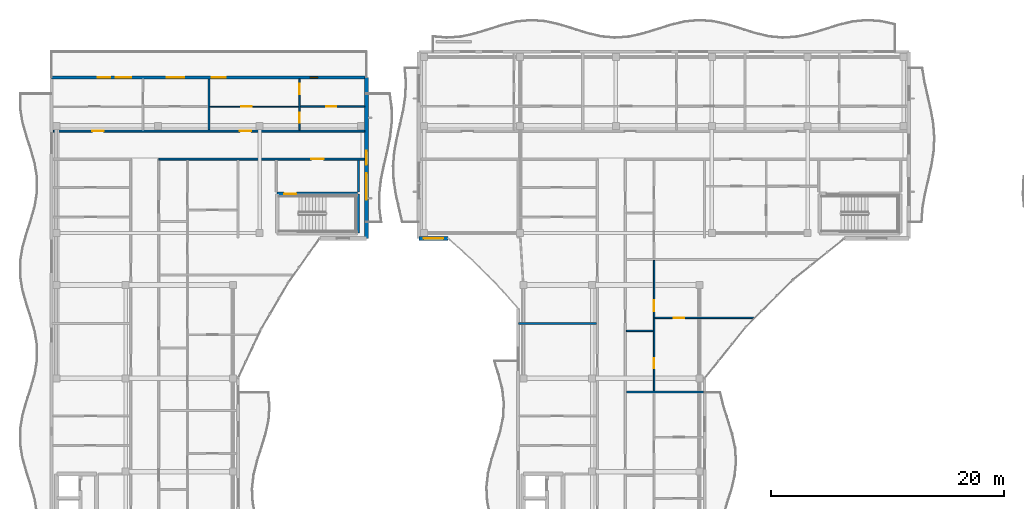
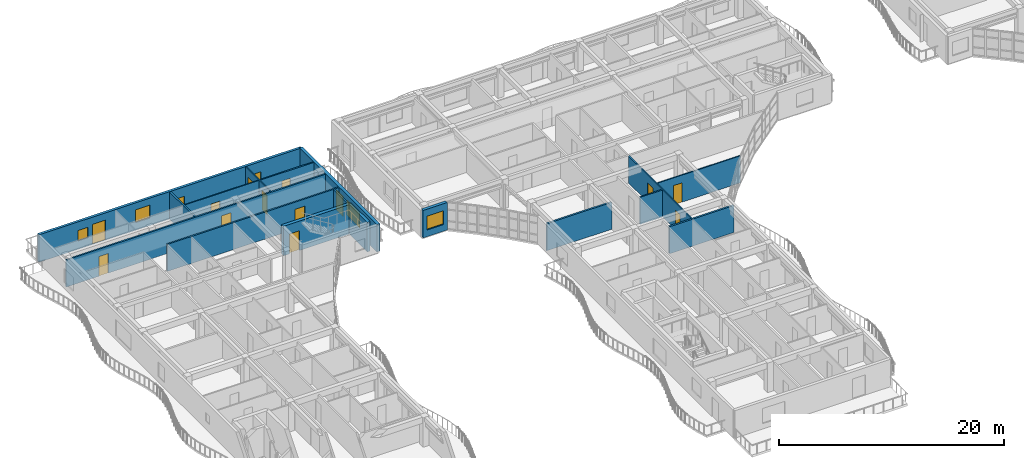
# One storey, part 34 of 71: 17 walls, 13 doors, 6 windows, 19 openings.
"""IFC4 building model written with IfcOpenShell, lengths in metres."""

from ifc_helpers import new_model, si_unit, direction, frame, frame_2d, origin, place, context, subcontext, project, spatial, rectangle, extrude, material, layer, layer_set, type_object, element, fill, save


model = new_model("IFC4")

# Units and contexts
model_context = context("Model", 3, precision=1e-05, world=origin(), true_north=direction((0.0, 1.0)))
body_context = subcontext(model_context, "Body", "Model", "MODEL_VIEW")
ifc_project = project(units=[si_unit("LENGTHUNIT", "METRE"), si_unit("AREAUNIT", "SQUARE_METRE"), si_unit("VOLUMEUNIT", "CUBIC_METRE"), si_unit("PLANEANGLEUNIT", "RADIAN"), si_unit("MASSUNIT", "GRAM", prefix="KILO")], contexts=[model_context])

# Site, building, storey
site_placement = place(None, origin())
site = spatial("IfcSite", under=ifc_project, at=site_placement, CompositionType="ELEMENT")
building_placement = place(site_placement, origin())
building = spatial("IfcBuilding", under=site, at=building_placement, Name="Keldmere Railside Commons", CompositionType="ELEMENT")
storey_placement = place(building_placement, frame((0.0, 0.0, 20.159912109375)))
storey = spatial("IfcBuildingStorey", under=building, at=storey_placement, Name="L06", CompositionType="ELEMENT", Elevation=20.159912109375)

# Walls
ifc_material_1 = material(Name="Acoustic Gypsum Board Partition", Category="gypsum")
ifc_layer_1 = layer(ifc_material_1, 0.179931640625, Name="Acoustic Demising Partition 180")
ifc_layer_set_1 = layer_set([ifc_layer_1], Name="Acoustic Gypsum Board Partition")
wall_type_1 = type_object("IfcWallType", Name="Acoustic Demising Partition 180", PredefinedType="PARTITIONING", material=ifc_layer_set_1)
wall_1_placement = place(storey_placement, frame((21.5, 109.280029296875, 0.0), z_axis=(0.0, 0.0, 1.0), x_axis=(0.0, 1.0, 0.0)))
element("IfcWall", 1, at=wall_1_placement, inside=storey, type_object=wall_type_1, Name="IW-1 IW-L06-0429", PredefinedType="PARTITIONING", context=body_context, shape_type="SweptSolid", body=[
    extrude(rectangle(XDim=4.389892578125, YDim=0.179931640625, at=frame_2d((2.19482421875, 0.0))), origin(), (0.0, 0.0, 1.0), 2.93505859375),
])
wall_2_placement = place(storey_placement, frame((57.280029296875, 86.830078125, 0.0), z_axis=(0.0, 0.0, 1.0), x_axis=(1.0, 0.0, 0.0)))
element("IfcWall", 2, at=wall_2_placement, inside=storey, type_object=wall_type_1, Name="IW-1 IW-L06-0735", PredefinedType="PARTITIONING", context=body_context, shape_type="SweptSolid", body=[
    extrude(rectangle(XDim=6.599853515625, YDim=0.179931640625, at=frame_2d((3.2998046875, 0.0))), origin(), (0.0, 0.0, 1.0), 2.93505859375),
])
wall_3_placement = place(storey_placement, frame((48.0400390625, 92.699951171875, 0.0), z_axis=(0.0, 0.0, 1.0), x_axis=(1.0, 0.0, 0.0)))
element("IfcWall", 3, at=wall_3_placement, inside=storey, type_object=wall_type_1, Name="IW-1 IW-L06-0764", PredefinedType="PARTITIONING", context=body_context, shape_type="SweptSolid", body=[
    extrude(rectangle(XDim=6.679931640625, YDim=0.179931640625, at=frame_2d((3.33984375, 0.0))), origin(), (0.0, 0.0, 1.0), 2.93505859375),
])

# Wall, openings, doors
ifc_layer_2 = layer(ifc_material_1, 0.1201171875, Name="Apartment Interior Partition 120")
ifc_layer_set_2 = layer_set([ifc_layer_2], Name="Acoustic Gypsum Board Partition")
wall_type_2 = type_object("IfcWallType", Name="Apartment Interior Partition 120", PredefinedType="PARTITIONING", material=ifc_layer_set_2)
wall_4_placement = place(storey_placement, frame((29.280029296875, 109.280029296875, 0.0), z_axis=(0.0, 0.0, 1.0), x_axis=(0.0, 1.0, 0.0)))
wall_4 = element("IfcWall", 4, at=wall_4_placement, inside=storey, type_object=wall_type_2, Name="IW-4 IW-L06-0433", PredefinedType="PARTITIONING", context=body_context, shape_type="SweptSolid", body=[
    extrude(rectangle(XDim=4.389892578125, YDim=0.1201171875, at=frame_2d((2.19482421875, 0.0))), origin(), (0.0, 0.0, 1.0), 2.93505859375),
])
opening_1_placement = place(wall_4_placement, frame((0.646484375, 0.0, 0.0)))
opening_1 = element("IfcOpeningElement", 5, at=opening_1_placement, cuts=wall_4, Name="Opening ID-04", PredefinedType="OPENING", context=body_context, shape_type="SweptSolid", body=[
    extrude(rectangle(XDim=0.860107421875, YDim=2.10009765625, at=frame_2d((0.43017578125, 1.050048828125))), frame((0.0, 0.070068359375, 0.0), z_axis=(0.0, -1.0, 0.0), x_axis=(1.0, 0.0, 0.0)), (0.0, 0.0, 1.0), 0.14013671875),
])
opening_2_placement = place(wall_4_placement, frame((3.08642578125, 0.0, 0.0)))
opening_2 = element("IfcOpeningElement", 6, at=opening_2_placement, cuts=wall_4, Name="Opening ID-01", PredefinedType="OPENING", context=body_context, shape_type="SweptSolid", body=[
    extrude(rectangle(XDim=0.89990234375, YDim=2.10009765625, at=frame_2d((0.449951171875, 1.050048828125))), frame((0.0, 0.070068359375, 0.0), z_axis=(0.0, -1.0, 0.0), x_axis=(1.0, 0.0, 0.0)), (0.0, 0.0, 1.0), 0.14013671875),
])
ifc_material_2 = material(Name="Engineered Oak Timber", Category="wood")
door_type_1 = type_object("IfcDoorType", Name="Apartment Bathroom Door 860x2100", OperationType="NOTDEFINED", PredefinedType="DOOR", material=ifc_material_2)
door_1_placement = place(opening_1_placement, origin())
door_1 = element("IfcDoor", 7, at=door_1_placement, inside=storey, type_object=door_type_1, Name="ID-04 IDR-L06-0336", OperationType="SINGLE_SWING_RIGHT", OverallHeight=2.10009765625, OverallWidth=0.860107421875, PredefinedType="DOOR", context=body_context, shape_type="SweptSolid", body=[
    extrude(rectangle(XDim=0.860107421875, YDim=2.10009765625, at=frame_2d((0.43017578125, 1.050048828125))), frame((0.0, 0.02490234375, 0.0), z_axis=(0.0, -1.0, 0.0), x_axis=(1.0, 0.0, 0.0)), (0.0, 0.0, 1.0), 0.050048828125),
])
fill(opening_1, door_1)
door_type_2 = type_object("IfcDoorType", Name="Primary Bedroom Door 900x2100", OperationType="NOTDEFINED", PredefinedType="DOOR", material=ifc_material_2)
door_2_placement = place(opening_2_placement, origin())
door_2 = element("IfcDoor", 8, at=door_2_placement, inside=storey, type_object=door_type_2, Name="ID-01 IDR-L06-0337", OperationType="SINGLE_SWING_LEFT", OverallHeight=2.10009765625, OverallWidth=0.89990234375, PredefinedType="DOOR", context=body_context, shape_type="SweptSolid", body=[
    extrude(rectangle(XDim=0.89990234375, YDim=2.10009765625, at=frame_2d((0.449951171875, 1.050048828125))), frame((0.0, 0.02490234375, 0.0), z_axis=(0.0, -1.0, 0.0), x_axis=(1.0, 0.0, 0.0)), (0.0, 0.0, 1.0), 0.050048828125),
])
fill(opening_2, door_2)

wall_5_placement = place(storey_placement, frame((59.659912109375, 86.919921875, 0.0), z_axis=(0.0, 0.0, 1.0), x_axis=(0.0, 1.0, 0.0)))
wall_5 = element("IfcWall", 9, at=wall_5_placement, inside=storey, type_object=wall_type_2, Name="IW-4 IW-L06-0745", PredefinedType="PARTITIONING", context=body_context, shape_type="SweptSolid", body=[
    extrude(rectangle(XDim=11.190185546875, YDim=0.1201171875, at=frame_2d((5.59521484375, 0.0))), origin(), (0.0, 0.0, 1.0), 2.93505859375),
])
opening_3_placement = place(wall_5_placement, frame((1.95703125, 0.0, 0.0)))
opening_3 = element("IfcOpeningElement", 10, at=opening_3_placement, cuts=wall_5, Name="Opening ID-04", PredefinedType="OPENING", context=body_context, shape_type="SweptSolid", body=[
    extrude(rectangle(XDim=0.860107421875, YDim=2.10009765625, at=frame_2d((0.43017578125, 1.050048828125))), frame((0.0, 0.070068359375, 0.0), z_axis=(0.0, -1.0, 0.0), x_axis=(1.0, 0.0, 0.0)), (0.0, 0.0, 1.0), 0.14013671875),
])
opening_4_placement = place(wall_5_placement, frame((6.84130859375, 0.0, 0.0)))
opening_4 = element("IfcOpeningElement", 11, at=opening_4_placement, cuts=wall_5, Name="Opening ID-03", PredefinedType="OPENING", context=body_context, shape_type="SweptSolid", body=[
    extrude(rectangle(XDim=0.919921875, YDim=2.10009765625, at=frame_2d((0.4599609375, 1.050048828125))), frame((0.0, 0.070068359375, 0.0), z_axis=(0.0, -1.0, 0.0), x_axis=(1.0, 0.0, 0.0)), (0.0, 0.0, 1.0), 0.14013671875),
])
door_3_placement = place(opening_3_placement, origin())
door_3 = element("IfcDoor", 12, at=door_3_placement, inside=storey, type_object=door_type_1, Name="ID-04 IDR-L06-0627", OperationType="SINGLE_SWING_LEFT", OverallHeight=2.10009765625, OverallWidth=0.860107421875, PredefinedType="DOOR", context=body_context, shape_type="SweptSolid", body=[
    extrude(rectangle(XDim=0.860107421875, YDim=2.10009765625, at=frame_2d((0.43017578125, 1.050048828125))), frame((0.0, 0.02490234375, 0.0), z_axis=(0.0, -1.0, 0.0), x_axis=(1.0, 0.0, 0.0)), (0.0, 0.0, 1.0), 0.050048828125),
])
fill(opening_3, door_3)
door_type_3 = type_object("IfcDoorType", Name="Kitchen Pocket-Frame Swing Door 920x2100", OperationType="NOTDEFINED", PredefinedType="DOOR", material=ifc_material_2)
door_4_placement = place(opening_4_placement, origin())
door_4 = element("IfcDoor", 13, at=door_4_placement, inside=storey, type_object=door_type_3, Name="ID-03 IDR-L06-0628", OperationType="SINGLE_SWING_RIGHT", OverallHeight=2.10009765625, OverallWidth=0.919921875, PredefinedType="DOOR", context=body_context, shape_type="SweptSolid", body=[
    extrude(rectangle(XDim=0.919921875, YDim=2.10009765625, at=frame_2d((0.4599609375, 1.050048828125))), frame((0.0, 0.02490234375, 0.0), z_axis=(0.0, -1.0, 0.0), x_axis=(1.0, 0.0, 0.0)), (0.0, 0.0, 1.0), 0.050048828125),
])
fill(opening_4, door_4)

# Wall, opening, door
wall_6_placement = place(storey_placement, frame((59.719970703125, 93.18994140625, 0.0), z_axis=(0.0, 0.0, 1.0), x_axis=(1.0, 0.0, 0.0)))
wall_6 = element("IfcWall", 14, at=wall_6_placement, inside=storey, type_object=wall_type_2, Name="IW-4 IW-L06-0747", PredefinedType="PARTITIONING", context=body_context, shape_type="SweptSolid", body=[
    extrude(rectangle(XDim=8.537353515625, YDim=0.1201171875, at=frame_2d((4.2685546875, 0.0))), origin(), (0.0, 0.0, 1.0), 2.93505859375),
])
opening_5_placement = place(wall_6_placement, frame((1.6298828125, 0.0, 0.0)))
opening_5 = element("IfcOpeningElement", 15, at=opening_5_placement, cuts=wall_6, Name="Opening ID-01", PredefinedType="OPENING", context=body_context, shape_type="SweptSolid", body=[
    extrude(rectangle(XDim=0.89990234375, YDim=2.10009765625, at=frame_2d((0.449951171875, 1.050048828125))), frame((0.0, 0.070068359375, 0.0), z_axis=(0.0, -1.0, 0.0), x_axis=(1.0, 0.0, 0.0)), (0.0, 0.0, 1.0), 0.14013671875),
])
door_5_placement = place(opening_5_placement, origin())
door_5 = element("IfcDoor", 16, at=door_5_placement, inside=storey, type_object=door_type_2, Name="ID-01 IDR-L06-0630", OperationType="SINGLE_SWING_RIGHT", OverallHeight=2.10009765625, OverallWidth=0.89990234375, PredefinedType="DOOR", context=body_context, shape_type="SweptSolid", body=[
    extrude(rectangle(XDim=0.89990234375, YDim=2.10009765625, at=frame_2d((0.449951171875, 1.050048828125))), frame((0.0, 0.02490234375, 0.0), z_axis=(0.0, -1.0, 0.0), x_axis=(1.0, 0.0, 0.0)), (0.0, 0.0, 1.0), 0.050048828125),
])
fill(opening_5, door_5)

ifc_layer_3 = layer(ifc_material_1, 0.10009765625, Name="Closet Light Partition 100")
ifc_layer_set_3 = layer_set([ifc_layer_3], Name="Acoustic Gypsum Board Partition")
wall_type_3 = type_object("IfcWallType", Name="Closet Light Partition 100", PredefinedType="PARTITIONING", material=ifc_layer_set_3)
wall_7_placement = place(storey_placement, frame((21.590087890625, 111.300048828125, 0.0), z_axis=(0.0, 0.0, 1.0), x_axis=(1.0, 0.0, 0.0)))
wall_7 = element("IfcWall", 17, at=wall_7_placement, inside=storey, type_object=wall_type_3, Name="IW-6 IW-L06-0435", PredefinedType="PARTITIONING", context=body_context, shape_type="SweptSolid", body=[
    extrude(rectangle(XDim=7.6298828125, YDim=0.10009765625, at=frame_2d((3.81494140625, 0.0))), origin(), (0.0, 0.0, 1.0), 2.93505859375),
])
opening_6_placement = place(wall_7_placement, frame((2.676025390625, 0.0, 0.0)))
opening_6 = element("IfcOpeningElement", 18, at=opening_6_placement, cuts=wall_7, Name="Opening ID-03", PredefinedType="OPENING", context=body_context, shape_type="SweptSolid", body=[
    extrude(rectangle(XDim=0.919921875, YDim=2.10009765625, at=frame_2d((0.4599609375, 1.050048828125))), frame((0.0, 0.06005859375, 0.0), z_axis=(0.0, -1.0, 0.0), x_axis=(1.0, 0.0, 0.0)), (0.0, 0.0, 1.0), 0.1201171875),
])
door_6_placement = place(opening_6_placement, origin())
door_6 = element("IfcDoor", 19, at=door_6_placement, inside=storey, type_object=door_type_3, Name="ID-03 IDR-L06-0335", OperationType="SINGLE_SWING_LEFT", OverallHeight=2.10009765625, OverallWidth=0.919921875, PredefinedType="DOOR", context=body_context, shape_type="SweptSolid", body=[
    extrude(rectangle(XDim=0.919921875, YDim=2.10009765625, at=frame_2d((0.4599609375, 1.050048828125))), frame((0.0, 0.02490234375, 0.0), z_axis=(0.0, -1.0, 0.0), x_axis=(1.0, 0.0, 0.0)), (0.0, 0.0, 1.0), 0.050048828125),
])
fill(opening_6, door_6)

ifc_layer_4 = layer(ifc_material_1, 0.159912109375, Name="Corridor Fire Partition 160")
ifc_layer_set_4 = layer_set([ifc_layer_4], Name="Acoustic Gypsum Board Partition")
wall_type_4 = type_object("IfcWallType", Name="Corridor Fire Partition 160", PredefinedType="PARTITIONING", material=ifc_layer_set_4)
wall_8_placement = place(storey_placement, frame((17.199951171875, 106.800048828125, 0.0), z_axis=(0.0, 0.0, 1.0), x_axis=(1.0, 0.0, 0.0)))
wall_8 = element("IfcWall", 20, at=wall_8_placement, inside=storey, type_object=wall_type_4, Name="IW-2 IW-L06-0411", PredefinedType="PARTITIONING", context=body_context, shape_type="SweptSolid", body=[
    extrude(rectangle(XDim=17.64013671875, YDim=0.159912109375, at=frame_2d((8.820068359375, 0.0))), origin(), (0.0, 0.0, 1.0), 2.93505859375),
])
opening_7_placement = place(wall_8_placement, frame((13.074951171875, 0.0, 0.0)))
opening_7 = element("IfcOpeningElement", 21, at=opening_7_placement, cuts=wall_8, Name="Opening FD-1", PredefinedType="OPENING", context=body_context, shape_type="SweptSolid", body=[
    extrude(rectangle(XDim=1.050048828125, YDim=2.14990234375, at=frame_2d((0.52490234375, 1.074951171875))), frame((0.0, 0.08984375, 0.0), z_axis=(0.0, -1.0, 0.0), x_axis=(1.0, 0.0, 0.0)), (0.0, 0.0, 1.0), 0.179931640625),
])
ifc_material_3 = material(Name="Steel F-24 (S235)", Category="steel")
door_type_4 = type_object("IfcDoorType", Name="Stair Core Fire Door 1050x2150", OperationType="NOTDEFINED", PredefinedType="DOOR", material=ifc_material_3)
door_7_placement = place(opening_7_placement, origin())
door_7 = element("IfcDoor", 22, at=door_7_placement, inside=storey, type_object=door_type_4, Name="FD-1 IDR-L06-0313", OperationType="SINGLE_SWING_LEFT", OverallHeight=2.14990234375, OverallWidth=1.050048828125, PredefinedType="DOOR", context=body_context, shape_type="SweptSolid", body=[
    extrude(rectangle(XDim=1.050048828125, YDim=2.14990234375, at=frame_2d((0.52490234375, 1.074951171875))), frame((0.0, 0.02490234375, 0.0), z_axis=(0.0, -1.0, 0.0), x_axis=(1.0, 0.0, 0.0)), (0.0, 0.0, 1.0), 0.050048828125),
])
fill(opening_7, door_7)

# Wall, openings, doors
wall_9_placement = place(storey_placement, frame((8.159912109375, 109.199951171875, 0.0), z_axis=(0.0, 0.0, 1.0), x_axis=(1.0, 0.0, 0.0)))
wall_9 = element("IfcWall", 23, at=wall_9_placement, inside=storey, type_object=wall_type_4, Name="IW-2 IW-L06-0412", PredefinedType="PARTITIONING", context=body_context, shape_type="SweptSolid", body=[
    extrude(rectangle(XDim=26.68017578125, YDim=0.159912109375, at=frame_2d((13.340087890625, 0.0))), origin(), (0.0, 0.0, 1.0), 2.93505859375),
])
opening_8_placement = place(wall_9_placement, frame((3.35009765625, 0.0, 0.0)))
opening_8 = element("IfcOpeningElement", 24, at=opening_8_placement, cuts=wall_9, Name="Opening FD-7", PredefinedType="OPENING", context=body_context, shape_type="SweptSolid", body=[
    extrude(rectangle(XDim=0.97998046875, YDim=2.14990234375, at=frame_2d((0.489990234375, 1.074951171875))), frame((0.0, 0.08984375, 0.0), z_axis=(0.0, -1.0, 0.0), x_axis=(1.0, 0.0, 0.0)), (0.0, 0.0, 1.0), 0.179931640625),
])
opening_9_placement = place(wall_9_placement, frame((15.985107421875, 0.0, 0.0)))
opening_9 = element("IfcOpeningElement", 25, at=opening_9_placement, cuts=wall_9, Name="Opening FD-7", PredefinedType="OPENING", context=body_context, shape_type="SweptSolid", body=[
    extrude(rectangle(XDim=0.97998046875, YDim=2.14990234375, at=frame_2d((0.489990234375, 1.074951171875))), frame((0.0, 0.08984375, 0.0), z_axis=(0.0, -1.0, 0.0), x_axis=(1.0, 0.0, 0.0)), (0.0, 0.0, 1.0), 0.179931640625),
])
door_type_5 = type_object("IfcDoorType", Name="Apartment Entrance Acoustic Fire Door 980x2150", OperationType="NOTDEFINED", PredefinedType="DOOR", material=ifc_material_2)
door_8_placement = place(opening_8_placement, origin())
door_8 = element("IfcDoor", 26, at=door_8_placement, inside=storey, type_object=door_type_5, Name="FD-7 IDR-L06-0330", OperationType="SINGLE_SWING_RIGHT", OverallHeight=2.14990234375, OverallWidth=0.97998046875, PredefinedType="DOOR", context=body_context, shape_type="SweptSolid", body=[
    extrude(rectangle(XDim=0.97998046875, YDim=2.14990234375, at=frame_2d((0.489990234375, 1.074951171875))), frame((0.0, 0.02490234375, 0.0), z_axis=(0.0, -1.0, 0.0), x_axis=(1.0, 0.0, 0.0)), (0.0, 0.0, 1.0), 0.050048828125),
])
fill(opening_8, door_8)
door_9_placement = place(opening_9_placement, origin())
door_9 = element("IfcDoor", 27, at=door_9_placement, inside=storey, type_object=door_type_5, Name="FD-7 IDR-L06-0334", OperationType="SINGLE_SWING_RIGHT", OverallHeight=2.14990234375, OverallWidth=0.97998046875, PredefinedType="DOOR", context=body_context, shape_type="SweptSolid", body=[
    extrude(rectangle(XDim=0.97998046875, YDim=2.14990234375, at=frame_2d((0.489990234375, 1.074951171875))), frame((0.0, 0.02490234375, 0.0), z_axis=(0.0, -1.0, 0.0), x_axis=(1.0, 0.0, 0.0)), (0.0, 0.0, 1.0), 0.050048828125),
])
fill(opening_9, door_9)

# Wall, openings, door, window
ifc_material_4 = material(Name="Concrete H-35 (C35/45)", Category="concrete")
ifc_layer_5 = layer(ifc_material_4, 0.320068359375, Name="Exterior Shear Wall 320")
ifc_layer_set_5 = layer_set([ifc_layer_5], Name="Concrete H-35 (C35/45)")
wall_type_5 = type_object("IfcWallType", Name="Exterior Shear Wall 320", PredefinedType="SHEAR", material=ifc_layer_set_5)
wall_10_placement = place(storey_placement, frame((35.0, 113.800048828125, 0.0), z_axis=(0.0, 0.0, 1.0), x_axis=(0.0, -1.0, 0.0)))
wall_10 = element("IfcWall", 28, at=wall_10_placement, inside=storey, type_object=wall_type_5, Name="ESW-2 EXTD-L06-0167", PredefinedType="SHEAR", context=body_context, shape_type="SweptSolid", body=[
    extrude(rectangle(XDim=13.800048828125, YDim=0.320068359375, at=frame_2d((6.89990234375, 0.0))), origin(), (0.0, 0.0, 1.0), 2.97998046875),
])
opening_10_placement = place(wall_10_placement, frame((6.300048828125, 0.0, 0.0)))
opening_10 = element("IfcOpeningElement", 29, at=opening_10_placement, cuts=wall_10, Name="Opening BD-01", PredefinedType="OPENING", context=body_context, shape_type="SweptSolid", body=[
    extrude(rectangle(XDim=1.199951171875, YDim=2.199951171875, at=frame_2d((0.60009765625, 1.10009765625))), frame((0.0, 0.169921875, 0.0), z_axis=(0.0, -1.0, 0.0), x_axis=(1.0, 0.0, 0.0)), (0.0, 0.0, 1.0), 0.340087890625),
])
opening_11_placement = place(wall_10_placement, frame((8.199951171875, 0.0, 0.570068359375)))
opening_11 = element("IfcOpeningElement", 30, at=opening_11_placement, cuts=wall_10, Name="Opening WN-23", PredefinedType="OPENING", context=body_context, shape_type="SweptSolid", body=[
    extrude(rectangle(XDim=2.300048828125, YDim=1.64990234375, at=frame_2d((1.14990234375, 0.824951171875))), frame((0.0, 0.169921875, 0.0), z_axis=(0.0, -1.0, 0.0), x_axis=(1.0, 0.0, 0.0)), (0.0, 0.0, 1.0), 0.340087890625),
])
ifc_material_5 = material(Name="Thermally Broken Aluminium", Category="aluminium")
door_type_6 = type_object("IfcDoorType", Name="Apartment Living Wave-Balcony Glazed Door 1200x2200", OperationType="NOTDEFINED", PredefinedType="DOOR", material=ifc_material_5)
door_10_placement = place(opening_10_placement, origin())
door_10 = element("IfcDoor", 31, at=door_10_placement, inside=storey, type_object=door_type_6, Name="BD-01 DR-L06-0039", OperationType="SINGLE_SWING_LEFT", OverallHeight=2.199951171875, OverallWidth=1.199951171875, PredefinedType="DOOR", context=body_context, shape_type="SweptSolid", body=[
    extrude(rectangle(XDim=1.199951171875, YDim=2.199951171875, at=frame_2d((0.60009765625, 1.10009765625))), frame((0.0, 0.02490234375, 0.0), z_axis=(0.0, -1.0, 0.0), x_axis=(1.0, 0.0, 0.0)), (0.0, 0.0, 1.0), 0.050048828125),
])
fill(opening_10, door_10)
ifc_material_6 = material(Name="Low-E Insulated Double Glazing", Category="glass")
window_type_1 = type_object("IfcWindowType", Name="Setback Terrace Penthouse Window 2300x1650", PartitioningType="SINGLE_PANEL", PredefinedType="WINDOW", material=ifc_material_6)
window_1_placement = place(opening_11_placement, origin())
window_1 = element("IfcWindow", 32, at=window_1_placement, inside=storey, type_object=window_type_1, Name="WN-23 WIN-L06-0122", OverallHeight=1.64990234375, OverallWidth=2.300048828125, PartitioningType="SINGLE_PANEL", PredefinedType="WINDOW", context=body_context, shape_type="SweptSolid", body=[
    extrude(rectangle(XDim=2.300048828125, YDim=1.64990234375, at=frame_2d((1.14990234375, 0.824951171875))), frame((0.0, 0.030029296875, 0.0), z_axis=(0.0, -1.0, 0.0), x_axis=(1.0, 0.0, 0.0)), (0.0, 0.0, 1.0), 0.06005859375),
])
fill(opening_11, window_1)

# Wall, opening, window
wall_11_placement = place(storey_placement, frame((42.0, 100.0, 0.0), z_axis=(0.0, 0.0, 1.0), x_axis=(-1.0, 0.0, 0.0)))
wall_11 = element("IfcWall", 33, at=wall_11_placement, inside=storey, type_object=wall_type_5, Name="ESW-2 EXTC-L06-0377", PredefinedType="SHEAR", context=body_context, shape_type="SweptSolid", body=[
    extrude(rectangle(XDim=2.5, YDim=0.320068359375, at=frame_2d((1.25, 0.0))), origin(), (0.0, 0.0, 1.0), 2.97998046875),
])
opening_12_placement = place(wall_11_placement, frame((0.39990234375, 0.0, 0.719970703125)))
opening_12 = element("IfcOpeningElement", 34, at=opening_12_placement, cuts=wall_11, Name="Opening WN-20", PredefinedType="OPENING", context=body_context, shape_type="SweptSolid", body=[
    extrude(rectangle(XDim=1.699951171875, YDim=1.5, at=frame_2d((0.85009765625, 0.75))), frame((0.0, 0.169921875, 0.0), z_axis=(0.0, -1.0, 0.0), x_axis=(1.0, 0.0, 0.0)), (0.0, 0.0, 1.0), 0.340087890625),
])
window_type_2 = type_object("IfcWindowType", Name="Study Room Quiet Casement Window 1700x1500", PartitioningType="SINGLE_PANEL", PredefinedType="WINDOW", material=ifc_material_6)
window_2_placement = place(opening_12_placement, origin())
window_2 = element("IfcWindow", 35, at=window_2_placement, inside=storey, type_object=window_type_2, Name="WN-20 WIN-L06-0283", OverallHeight=1.5, OverallWidth=1.699951171875, PartitioningType="SINGLE_PANEL", PredefinedType="WINDOW", context=body_context, shape_type="SweptSolid", body=[
    extrude(rectangle(XDim=1.699951171875, YDim=1.5, at=frame_2d((0.85009765625, 0.75))), frame((0.0, 0.030029296875, 0.0), z_axis=(0.0, -1.0, 0.0), x_axis=(1.0, 0.0, 0.0)), (0.0, 0.0, 1.0), 0.06005859375),
])
fill(opening_12, window_2)

# Wall
ifc_layer_6 = layer(ifc_material_4, 0.300048828125, Name="Interior Shear Wall 300")
ifc_layer_set_6 = layer_set([ifc_layer_6], Name="Concrete H-35 (C35/45)")
wall_type_6 = type_object("IfcWallType", Name="Interior Shear Wall 300", PredefinedType="SHEAR", material=ifc_layer_set_6)
wall_12_placement = place(storey_placement, frame((34.25, 100.449951171875, 0.0), z_axis=(0.0, 0.0, 1.0), x_axis=(0.0, 1.0, 0.0)))
element("IfcWall", 36, at=wall_12_placement, inside=storey, type_object=wall_type_6, Name="ISW-2 CORED2E-L06-0110", PredefinedType="SHEAR", context=body_context, shape_type="SweptSolid", body=[
    extrude(rectangle(XDim=3.3701171875, YDim=0.300048828125, at=frame_2d((1.68505859375, 0.0))), origin(), (0.0, 0.0, 1.0), 3.2001953125),
])

# Wall, opening, door
ifc_layer_7 = layer(ifc_material_4, 0.340087890625, Name="Interior Shear Wall 340")
ifc_layer_set_7 = layer_set([ifc_layer_7], Name="Concrete H-35 (C35/45)")
wall_type_7 = type_object("IfcWallType", Name="Interior Shear Wall 340", PredefinedType="SHEAR", material=ifc_layer_set_7)
wall_13_placement = place(storey_placement, frame((34.25, 103.820068359375, 0.0), z_axis=(0.0, 0.0, 1.0), x_axis=(-1.0, 0.0, 0.0)))
wall_13 = element("IfcWall", 37, at=wall_13_placement, inside=storey, type_object=wall_type_7, Name="ISW-1 CORED2N-L06-0108", PredefinedType="SHEAR", context=body_context, shape_type="SweptSolid", body=[
    extrude(rectangle(XDim=6.89990234375, YDim=0.340087890625, at=frame_2d((3.449951171875, 0.0))), origin(), (0.0, 0.0, 1.0), 3.2001953125),
])
opening_13_placement = place(wall_13_placement, frame((5.25, 0.0, 0.0)))
opening_13 = element("IfcOpeningElement", 38, at=opening_13_placement, cuts=wall_13, Name="Opening FD-1", PredefinedType="OPENING", context=body_context, shape_type="SweptSolid", body=[
    extrude(rectangle(XDim=1.050048828125, YDim=2.14990234375, at=frame_2d((0.52490234375, 1.074951171875))), frame((0.0, 0.179931640625, 0.0), z_axis=(0.0, -1.0, 0.0), x_axis=(1.0, 0.0, 0.0)), (0.0, 0.0, 1.0), 0.360107421875),
])
door_11_placement = place(opening_13_placement, origin())
door_11 = element("IfcDoor", 39, at=door_11_placement, inside=storey, type_object=door_type_4, Name="FD-1 D2 L06", OperationType="SINGLE_SWING_RIGHT", OverallHeight=2.14990234375, OverallWidth=1.050048828125, PredefinedType="DOOR", context=body_context, shape_type="SweptSolid", body=[
    extrude(rectangle(XDim=1.050048828125, YDim=2.14990234375, at=frame_2d((0.52490234375, 1.074951171875))), frame((0.0, 0.02490234375, 0.0), z_axis=(0.0, -1.0, 0.0), x_axis=(1.0, 0.0, 0.0)), (0.0, 0.0, 1.0), 0.050048828125),
])
fill(opening_13, door_11)

# Wall
ifc_layer_8 = layer(ifc_material_1, 0.14990234375, Name="Lobby Rated Partition 150")
ifc_layer_set_8 = layer_set([ifc_layer_8], Name="Acoustic Gypsum Board Partition")
wall_type_8 = type_object("IfcWallType", Name="Lobby Rated Partition 150", PredefinedType="PARTITIONING", material=ifc_layer_set_8)
wall_14_placement = place(storey_placement, frame((34.320068359375, 103.989990234375, 0.0), z_axis=(0.0, 0.0, 1.0), x_axis=(0.0, 1.0, 0.0)))
element("IfcWall", 40, at=wall_14_placement, inside=storey, type_object=wall_type_8, Name="IW-3 IW-L06-0415", PredefinedType="PARTITIONING", context=body_context, shape_type="SweptSolid", body=[
    extrude(rectangle(XDim=2.72998046875, YDim=0.14990234375, at=frame_2d((1.364990234375, 0.0))), origin(), (0.0, 0.0, 1.0), 2.93505859375),
])

# Wall, openings, windows, door
ifc_material_7 = material(Name="Terracotta Brick Masonry", Category="masonry")
ifc_layer_9 = layer(ifc_material_7, 0.260009765625, Name="Terracotta Cavity Wall 260")
ifc_layer_set_9 = layer_set([ifc_layer_9], Name="Terracotta Brick Masonry")
wall_type_9 = type_object("IfcWallType", Name="Terracotta Cavity Wall 260", PredefinedType="SOLIDWALL", material=ifc_layer_set_9)
wall_15_placement = place(storey_placement, frame((8.0, 113.800048828125, 0.0), z_axis=(0.0, 0.0, 1.0), x_axis=(1.0, 0.0, 0.0)))
wall_15 = element("IfcWall", 41, at=wall_15_placement, inside=storey, type_object=wall_type_9, Name="EW-1 EXTD-L06-0168", PredefinedType="SOLIDWALL", context=body_context, shape_type="SweptSolid", body=[
    extrude(rectangle(XDim=27.0, YDim=0.260009765625, at=frame_2d((13.5, 0.0))), origin(), (0.0, 0.0, 1.0), 2.97998046875),
])
opening_14_placement = place(wall_15_placement, frame((5.5, 0.0, 0.0)))
opening_14 = element("IfcOpeningElement", 42, at=opening_14_placement, cuts=wall_15, Name="Opening BD-03", PredefinedType="OPENING", context=body_context, shape_type="SweptSolid", body=[
    extrude(rectangle(XDim=1.35009765625, YDim=2.199951171875, at=frame_2d((0.675048828125, 1.10009765625))), frame((0.0, 0.139892578125, 0.0), z_axis=(0.0, -1.0, 0.0), x_axis=(1.0, 0.0, 0.0)), (0.0, 0.0, 1.0), 0.280029296875),
])
opening_15_placement = place(wall_15_placement, frame((3.97509765625, 0.0, 0.89990234375)))
opening_15 = element("IfcOpeningElement", 43, at=opening_15_placement, cuts=wall_15, Name="Opening WN-13", PredefinedType="OPENING", context=body_context, shape_type="SweptSolid", body=[
    extrude(rectangle(XDim=1.050048828125, YDim=1.14990234375, at=frame_2d((0.52490234375, 0.574951171875))), frame((0.0, 0.139892578125, 0.0), z_axis=(0.0, -1.0, 0.0), x_axis=(1.0, 0.0, 0.0)), (0.0, 0.0, 1.0), 0.280029296875),
])
opening_16_placement = place(wall_15_placement, frame((13.75, 0.0, 0.89990234375)))
opening_16 = element("IfcOpeningElement", 44, at=opening_16_placement, cuts=wall_15, Name="Opening WN-14", PredefinedType="OPENING", context=body_context, shape_type="SweptSolid", body=[
    extrude(rectangle(XDim=1.199951171875, YDim=1.050048828125, at=frame_2d((0.60009765625, 0.52490234375))), frame((0.0, 0.139892578125, 0.0), z_axis=(0.0, -1.0, 0.0), x_axis=(1.0, 0.0, 0.0)), (0.0, 0.0, 1.0), 0.280029296875),
])
opening_17_placement = place(wall_15_placement, frame((22.175048828125, 0.0, 0.89990234375)))
opening_17 = element("IfcOpeningElement", 45, at=opening_17_placement, cuts=wall_15, Name="Opening WN-15", PredefinedType="OPENING", context=body_context, shape_type="SweptSolid", body=[
    extrude(rectangle(XDim=0.64990234375, YDim=0.949951171875, at=frame_2d((0.324951171875, 0.47509765625))), frame((0.0, 0.139892578125, 0.0), z_axis=(0.0, -1.0, 0.0), x_axis=(1.0, 0.0, 0.0)), (0.0, 0.0, 1.0), 0.280029296875),
])
opening_18_placement = place(wall_15_placement, frame((9.89990234375, 0.0, 0.820068359375)))
opening_18 = element("IfcOpeningElement", 46, at=opening_18_placement, cuts=wall_15, Name="Opening WN-06", PredefinedType="OPENING", context=body_context, shape_type="SweptSolid", body=[
    extrude(rectangle(XDim=1.5, YDim=1.39990234375, at=frame_2d((0.75, 0.699951171875))), frame((0.0, 0.139892578125, 0.0), z_axis=(0.0, -1.0, 0.0), x_axis=(1.0, 0.0, 0.0)), (0.0, 0.0, 1.0), 0.280029296875),
])
window_type_3 = type_object("IfcWindowType", Name="Apartment Kitchen Casement Window 1050x1150", PartitioningType="SINGLE_PANEL", PredefinedType="WINDOW", material=ifc_material_6)
window_3_placement = place(opening_15_placement, origin())
window_3 = element("IfcWindow", 47, at=window_3_placement, inside=storey, type_object=window_type_3, Name="WN-13 WIN-L06-0123", OverallHeight=1.14990234375, OverallWidth=1.050048828125, PartitioningType="SINGLE_PANEL", PredefinedType="WINDOW", context=body_context, shape_type="SweptSolid", body=[
    extrude(rectangle(XDim=1.050048828125, YDim=1.14990234375, at=frame_2d((0.52490234375, 0.574951171875))), frame((0.0, 0.030029296875, 0.0), z_axis=(0.0, -1.0, 0.0), x_axis=(1.0, 0.0, 0.0)), (0.0, 0.0, 1.0), 0.06005859375),
])
fill(opening_15, window_3)
window_type_4 = type_object("IfcWindowType", Name="Apartment Kitchen Ribbon Window 1200x1050", PartitioningType="SINGLE_PANEL", PredefinedType="WINDOW", material=ifc_material_6)
window_4_placement = place(opening_16_placement, origin())
window_4 = element("IfcWindow", 48, at=window_4_placement, inside=storey, type_object=window_type_4, Name="WN-14 WIN-L06-0124", OverallHeight=1.050048828125, OverallWidth=1.199951171875, PartitioningType="SINGLE_PANEL", PredefinedType="WINDOW", context=body_context, shape_type="SweptSolid", body=[
    extrude(rectangle(XDim=1.199951171875, YDim=1.050048828125, at=frame_2d((0.60009765625, 0.52490234375))), frame((0.0, 0.030029296875, 0.0), z_axis=(0.0, -1.0, 0.0), x_axis=(1.0, 0.0, 0.0)), (0.0, 0.0, 1.0), 0.06005859375),
])
fill(opening_16, window_4)
window_type_5 = type_object("IfcWindowType", Name="Exterior Bathroom Frosted Window 650x950", PartitioningType="SINGLE_PANEL", PredefinedType="WINDOW", material=ifc_material_6)
window_5_placement = place(opening_17_placement, origin())
window_5 = element("IfcWindow", 49, at=window_5_placement, inside=storey, type_object=window_type_5, Name="WN-15 WIN-L06-0125", OverallHeight=0.949951171875, OverallWidth=0.64990234375, PartitioningType="SINGLE_PANEL", PredefinedType="WINDOW", context=body_context, shape_type="SweptSolid", body=[
    extrude(rectangle(XDim=0.64990234375, YDim=0.949951171875, at=frame_2d((0.324951171875, 0.47509765625))), frame((0.0, 0.030029296875, 0.0), z_axis=(0.0, -1.0, 0.0), x_axis=(1.0, 0.0, 0.0)), (0.0, 0.0, 1.0), 0.06005859375),
])
fill(opening_17, window_5)
door_type_7 = type_object("IfcDoorType", Name="Planted Roof-Terrace Lounge Door 1350x2200", OperationType="NOTDEFINED", PredefinedType="DOOR", material=ifc_material_5)
door_12_placement = place(opening_14_placement, origin())
door_12 = element("IfcDoor", 50, at=door_12_placement, inside=storey, type_object=door_type_7, Name="BD-03 DR-L06-0040", OperationType="SINGLE_SWING_RIGHT", OverallHeight=2.199951171875, OverallWidth=1.35009765625, PredefinedType="DOOR", context=body_context, shape_type="SweptSolid", body=[
    extrude(rectangle(XDim=1.35009765625, YDim=2.199951171875, at=frame_2d((0.675048828125, 1.10009765625))), frame((0.0, 0.02490234375, 0.0), z_axis=(0.0, -1.0, 0.0), x_axis=(1.0, 0.0, 0.0)), (0.0, 0.0, 1.0), 0.050048828125),
])
fill(opening_14, door_12)
window_type_6 = type_object("IfcWindowType", Name="Primary Bedroom North Window 1500x1400", PartitioningType="SINGLE_PANEL", PredefinedType="WINDOW", material=ifc_material_6)
window_6_placement = place(opening_18_placement, origin())
window_6 = element("IfcWindow", 51, at=window_6_placement, inside=storey, type_object=window_type_6, Name="WN-06 WIN-L06-9050", OverallHeight=1.39990234375, OverallWidth=1.5, PartitioningType="SINGLE_PANEL", PredefinedType="WINDOW", context=body_context, shape_type="SweptSolid", body=[
    extrude(rectangle(XDim=1.5, YDim=1.39990234375, at=frame_2d((0.75, 0.699951171875))), frame((0.0, 0.030029296875, 0.0), z_axis=(0.0, -1.0, 0.0), x_axis=(1.0, 0.0, 0.0)), (0.0, 0.0, 1.0), 0.06005859375),
])
fill(opening_18, window_6)

# Wall, opening, door
ifc_layer_10 = layer(ifc_material_1, 0.139892578125, Name="Wet-Room Sanitary Partition 140")
ifc_layer_set_10 = layer_set([ifc_layer_10], Name="Acoustic Gypsum Board Partition")
wall_type_10 = type_object("IfcWallType", Name="Wet-Room Sanitary Partition 140", PredefinedType="PARTITIONING", material=ifc_layer_set_10)
wall_16_placement = place(storey_placement, frame((29.340087890625, 111.300048828125, 0.0), z_axis=(0.0, 0.0, 1.0), x_axis=(1.0, 0.0, 0.0)))
wall_16 = element("IfcWall", 52, at=wall_16_placement, inside=storey, type_object=wall_type_10, Name="IW-5 IW-L06-0434", PredefinedType="PARTITIONING", context=body_context, shape_type="SweptSolid", body=[
    extrude(rectangle(XDim=5.5, YDim=0.139892578125, at=frame_2d((2.75, 0.0))), origin(), (0.0, 0.0, 1.0), 2.93505859375),
])
opening_19_placement = place(wall_16_placement, frame((2.22412109375, 0.0, 0.0)))
opening_19 = element("IfcOpeningElement", 53, at=opening_19_placement, cuts=wall_16, Name="Opening ID-06", PredefinedType="OPENING", context=body_context, shape_type="SweptSolid", body=[
    extrude(rectangle(XDim=0.85009765625, YDim=2.050048828125, at=frame_2d((0.425048828125, 1.02490234375))), frame((0.0, 0.079833984375, 0.0), z_axis=(0.0, -1.0, 0.0), x_axis=(1.0, 0.0, 0.0)), (0.0, 0.0, 1.0), 0.159912109375),
])
door_type_8 = type_object("IfcDoorType", Name="Storage Closet Door 850x2050", OperationType="NOTDEFINED", PredefinedType="DOOR", material=ifc_material_2)
door_13_placement = place(opening_19_placement, origin())
door_13 = element("IfcDoor", 54, at=door_13_placement, inside=storey, type_object=door_type_8, Name="ID-06 IDR-L06-0338", OperationType="SINGLE_SWING_RIGHT", OverallHeight=2.050048828125, OverallWidth=0.85009765625, PredefinedType="DOOR", context=body_context, shape_type="SweptSolid", body=[
    extrude(rectangle(XDim=0.85009765625, YDim=2.050048828125, at=frame_2d((0.425048828125, 1.02490234375))), frame((0.0, 0.02490234375, 0.0), z_axis=(0.0, -1.0, 0.0), x_axis=(1.0, 0.0, 0.0)), (0.0, 0.0, 1.0), 0.050048828125),
])
fill(opening_19, door_13)

# Wall
wall_17_placement = place(storey_placement, frame((57.280029296875, 92.070068359375, 0.0), z_axis=(0.0, 0.0, 1.0), x_axis=(1.0, 0.0, 0.0)))
element("IfcWall", 55, at=wall_17_placement, inside=storey, type_object=wall_type_10, Name="IW-5 IW-L06-0746", PredefinedType="PARTITIONING", context=body_context, shape_type="SweptSolid", body=[
    extrude(rectangle(XDim=2.320068359375, YDim=0.139892578125, at=frame_2d((1.16015625, 0.0))), origin(), (0.0, 0.0, 1.0), 2.93505859375),
])

save(model, "model.ifc")
